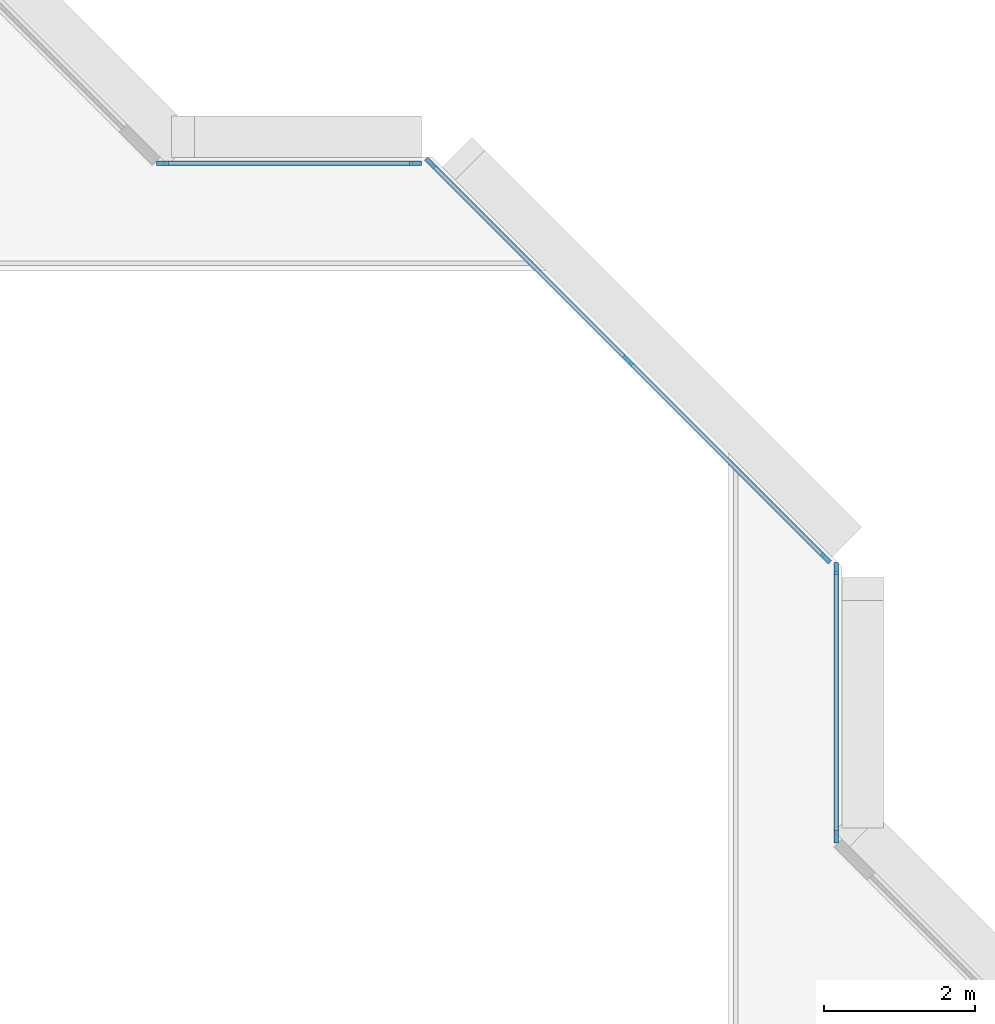
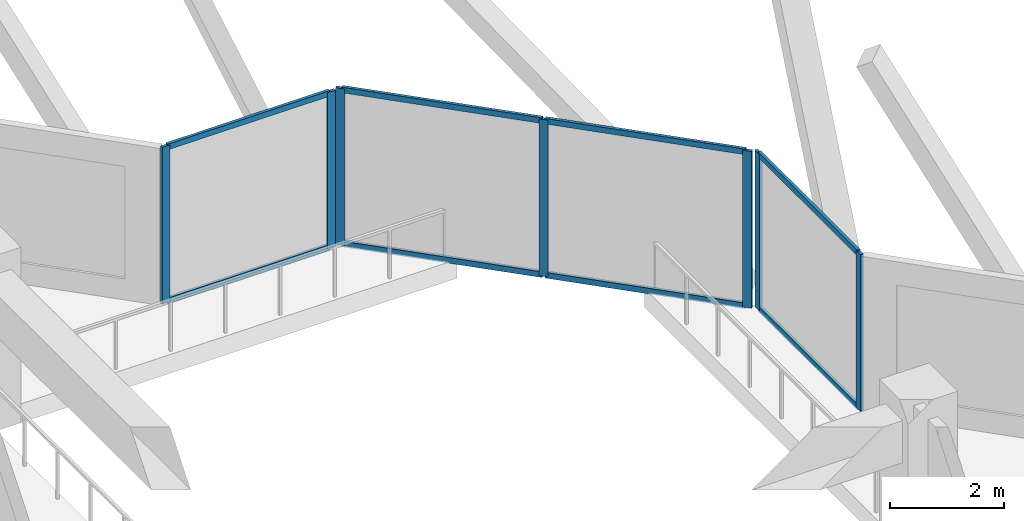
# One storey, part 2 of 16: 15 members, 3 elements without a shape of their own.
"""IFC4 building model written with IfcOpenShell, lengths in metres."""

from ifc_helpers import new_model, si_unit, direction, frame, origin, origin_2d, place, context, subcontext, project, spatial, rectangle, extrude, material, layer, layer_set, material_profile, profile_set, type_object, element, aggregate, save


model = new_model("IFC4")

# Units and contexts
model_context = context("Model", 3, precision=1e-05, world=origin(), true_north=direction((0.0, 1.0)))
body_context = subcontext(model_context, "Body", "Model", "MODEL_VIEW")
ifc_project = project(units=[si_unit("LENGTHUNIT", "METRE"), si_unit("AREAUNIT", "SQUARE_METRE"), si_unit("VOLUMEUNIT", "CUBIC_METRE"), si_unit("PLANEANGLEUNIT", "RADIAN"), si_unit("MASSUNIT", "GRAM", prefix="KILO")], contexts=[model_context])

# Site, building, storey
site_placement = place(None, origin())
site = spatial("IfcSite", under=ifc_project, at=site_placement, CompositionType="ELEMENT")
building_placement = place(site_placement, origin())
building = spatial("IfcBuilding", under=site, at=building_placement, Name="Chenar Terraces", CompositionType="ELEMENT")
storey_placement = place(building_placement, frame((0.0, 0.0, 99.39990234375)))
storey = spatial("IfcBuildingStorey", under=building, at=storey_placement, Name="L22", CompositionType="ELEMENT", Elevation=99.39990234375)

# Curtain wall, members
ifc_material_1 = material(Name="Aluminium framed glazing", Category="aluminium")
ifc_layer = layer(ifc_material_1, 0.14990234375)
ifc_layer_set = layer_set([ifc_layer], Name="Aluminium framed glazing")
curtain_wall_type = type_object("IfcCurtainWallType", Name="Atrium curtain wall", PredefinedType="NOTDEFINED", material=ifc_layer_set)
placement = place(storey_placement, origin())
curtain_wall_1 = element("IfcCurtainWall", 1, at=placement, inside=storey, type_object=curtain_wall_type, Name="Atrium curtain wall", PredefinedType="NOTDEFINED")
ifc_material_2 = material(Name="Aluminium", Category="aluminium")
ifc_material_profile_1 = material_profile(ifc_material_2, rectangle(XDim=0.06005859375, YDim=0.159912109375, at=origin_2d()), Name="Atrium glazing mullion 60 x 160")
ifc_profile_set_1 = profile_set([ifc_material_profile_1], Name="Aluminium")
member_type_1 = type_object("IfcMemberType", Name="Atrium glazing mullion 60 x 160", PredefinedType="MULLION", material=ifc_profile_set_1)
member_1_placement = place(storey_placement, frame((37.425048828125, 28.530029296875, 0.0), z_axis=(0.0, 0.0, 1.0), x_axis=(-1.0, 0.0, 0.0)))
member_1 = element("IfcMember", 2, at=member_1_placement, type_object=member_type_1, Name="CW1-1 mullion 1", PredefinedType="MULLION", context=body_context, shape_type="SweptSolid", body=[
    extrude(rectangle(XDim=0.06005859375, YDim=0.159912109375, at=origin_2d()), origin(), (0.0, 0.0, 1.0), 3.35009765625),
])
member_2_placement = place(storey_placement, frame((37.425048828125, 32.070068359375, 0.0), z_axis=(0.0, 0.0, 1.0), x_axis=(-1.0, 0.0, 0.0)))
member_2 = element("IfcMember", 3, at=member_2_placement, type_object=member_type_1, Name="CW1-1 mullion 2", PredefinedType="MULLION", context=body_context, shape_type="SweptSolid", body=[
    extrude(rectangle(XDim=0.06005859375, YDim=0.159912109375, at=origin_2d()), origin(), (0.0, 0.0, 1.0), 3.35009765625),
])

curtain_wall_2 = element("IfcCurtainWall", 4, at=placement, inside=storey, type_object=curtain_wall_type, Name="Atrium curtain wall", PredefinedType="NOTDEFINED")
member_3_placement = place(storey_placement, frame((37.284423828125, 32.209716796875, 0.0), z_axis=(0.0, 0.0, 1.0), x_axis=(-0.707106781187, -0.707106781187, 0.0)))
member_3 = element("IfcMember", 5, at=member_3_placement, type_object=member_type_1, Name="CW1-2 mullion 1", PredefinedType="MULLION", context=body_context, shape_type="SweptSolid", body=[
    extrude(rectangle(XDim=0.06005859375, YDim=0.159912109375, at=origin_2d()), origin(), (0.0, 0.0, 1.0), 3.35009765625),
])
member_4_placement = place(storey_placement, frame((34.67626953125, 34.817626953125, 0.0), z_axis=(0.0, 0.0, 1.0), x_axis=(-0.707106781187, -0.707106781187, 0.0)))
member_4 = element("IfcMember", 6, at=member_4_placement, type_object=member_type_1, Name="CW1-2 mullion 2", PredefinedType="MULLION", context=body_context, shape_type="SweptSolid", body=[
    extrude(rectangle(XDim=0.06005859375, YDim=0.159912109375, at=origin_2d()), origin(), (0.0, 0.0, 1.0), 3.35009765625),
])
member_5_placement = place(storey_placement, frame((32.068115234375, 37.42578125, 0.0), z_axis=(0.0, 0.0, 1.0), x_axis=(-0.707106781187, -0.707106781187, 0.0)))
member_5 = element("IfcMember", 7, at=member_5_placement, type_object=member_type_1, Name="CW1-2 mullion 3", PredefinedType="MULLION", context=body_context, shape_type="SweptSolid", body=[
    extrude(rectangle(XDim=0.06005859375, YDim=0.159912109375, at=origin_2d()), origin(), (0.0, 0.0, 1.0), 3.35009765625),
])

curtain_wall_3 = element("IfcCurtainWall", 8, at=placement, inside=storey, type_object=curtain_wall_type, Name="Atrium curtain wall", PredefinedType="NOTDEFINED")
member_6_placement = place(storey_placement, frame((31.8701171875, 37.425048828125, 0.0), z_axis=(0.0, 0.0, 1.0), x_axis=(0.0, -1.0, 0.0)))
member_6 = element("IfcMember", 9, at=member_6_placement, type_object=member_type_1, Name="CW1-3 mullion 1", PredefinedType="MULLION", context=body_context, shape_type="SweptSolid", body=[
    extrude(rectangle(XDim=0.06005859375, YDim=0.159912109375, at=origin_2d()), origin(), (0.0, 0.0, 1.0), 3.35009765625),
])
member_7_placement = place(storey_placement, frame((28.530029296875, 37.425048828125, 0.0), z_axis=(0.0, 0.0, 1.0), x_axis=(0.0, -1.0, 0.0)))
member_7 = element("IfcMember", 10, at=member_7_placement, type_object=member_type_1, Name="CW1-3 mullion 2", PredefinedType="MULLION", context=body_context, shape_type="SweptSolid", body=[
    extrude(rectangle(XDim=0.06005859375, YDim=0.159912109375, at=origin_2d()), origin(), (0.0, 0.0, 1.0), 3.35009765625),
])

# Member
ifc_material_3 = material(Name="Aluminium", Category="aluminium")
ifc_material_profile_2 = material_profile(ifc_material_3, rectangle(XDim=0.06005859375, YDim=0.1201171875, at=origin_2d()), Name="Atrium glazing transom 60 x 120")
ifc_profile_set_2 = profile_set([ifc_material_profile_2], Name="Aluminium")
member_type_2 = type_object("IfcMemberType", Name="Atrium glazing transom 60 x 120", PredefinedType="USERDEFINED", material=ifc_profile_set_2)
member_8_placement = place(storey_placement, frame((37.425048828125, 28.56005859375, 0.030029296875), z_axis=(0.0, 1.0, 0.0), x_axis=(-1.0, 0.0, 0.0)))
member_8 = element("IfcMember", 11, at=member_8_placement, type_object=member_type_2, Name="CW1-1 transom 1.1", ObjectType="TRANSOM", PredefinedType="USERDEFINED", context=body_context, shape_type="SweptSolid", body=[
    extrude(rectangle(XDim=0.06005859375, YDim=0.1201171875, at=origin_2d()), origin(), (0.0, 0.0, 1.0), 3.47998046875),
])

member_9_placement = place(storey_placement, frame((37.425048828125, 28.56005859375, 3.320068359375), z_axis=(0.0, 1.0, 0.0), x_axis=(-1.0, 0.0, 0.0)))
member_9 = element("IfcMember", 12, at=member_9_placement, type_object=member_type_2, Name="CW1-1 transom 1.2", ObjectType="TRANSOM", PredefinedType="USERDEFINED", context=body_context, shape_type="SweptSolid", body=[
    extrude(rectangle(XDim=0.06005859375, YDim=0.1201171875, at=origin_2d()), origin(), (0.0, 0.0, 1.0), 3.47998046875),
])

aggregate(curtain_wall_1, [member_1, member_2, member_8, member_9])

member_10_placement = place(storey_placement, frame((37.26318359375, 32.230712890625, 0.030029296875), z_axis=(-0.707106781187, 0.707106781187, 0.0), x_axis=(-0.707106781187, -0.707106781187, 0.0)))
member_10 = element("IfcMember", 13, at=member_10_placement, type_object=member_type_2, Name="CW1-2 transom 1.1", ObjectType="TRANSOM", PredefinedType="USERDEFINED", context=body_context, shape_type="SweptSolid", body=[
    extrude(rectangle(XDim=0.06005859375, YDim=0.1201171875, at=origin_2d()), origin(), (0.0, 0.0, 1.0), 3.62841796875),
])

member_11_placement = place(storey_placement, frame((37.26318359375, 32.230712890625, 3.320068359375), z_axis=(-0.707106781187, 0.707106781187, 0.0), x_axis=(-0.707106781187, -0.707106781187, 0.0)))
member_11 = element("IfcMember", 14, at=member_11_placement, type_object=member_type_2, Name="CW1-2 transom 1.2", ObjectType="TRANSOM", PredefinedType="USERDEFINED", context=body_context, shape_type="SweptSolid", body=[
    extrude(rectangle(XDim=0.06005859375, YDim=0.1201171875, at=origin_2d()), origin(), (0.0, 0.0, 1.0), 3.62841796875),
])

member_12_placement = place(storey_placement, frame((34.655029296875, 34.8388671875, 0.030029296875), z_axis=(-0.707106781187, 0.707106781187, 0.0), x_axis=(-0.707106781187, -0.707106781187, 0.0)))
member_12 = element("IfcMember", 15, at=member_12_placement, type_object=member_type_2, Name="CW1-2 transom 2.1", ObjectType="TRANSOM", PredefinedType="USERDEFINED", context=body_context, shape_type="SweptSolid", body=[
    extrude(rectangle(XDim=0.06005859375, YDim=0.1201171875, at=origin_2d()), origin(), (0.0, 0.0, 1.0), 3.62841796875),
])

member_13_placement = place(storey_placement, frame((34.655029296875, 34.8388671875, 3.320068359375), z_axis=(-0.707106781187, 0.707106781187, 0.0), x_axis=(-0.707106781187, -0.707106781187, 0.0)))
member_13 = element("IfcMember", 16, at=member_13_placement, type_object=member_type_2, Name="CW1-2 transom 2.2", ObjectType="TRANSOM", PredefinedType="USERDEFINED", context=body_context, shape_type="SweptSolid", body=[
    extrude(rectangle(XDim=0.06005859375, YDim=0.1201171875, at=origin_2d()), origin(), (0.0, 0.0, 1.0), 3.62841796875),
])

aggregate(curtain_wall_2, [member_3, member_4, member_5, member_10, member_11, member_12, member_13])

member_14_placement = place(storey_placement, frame((31.840087890625, 37.425048828125, 0.030029296875), z_axis=(-1.0, 0.0, 0.0), x_axis=(0.0, -1.0, 0.0)))
member_14 = element("IfcMember", 17, at=member_14_placement, type_object=member_type_2, Name="CW1-3 transom 1.1", ObjectType="TRANSOM", PredefinedType="USERDEFINED", context=body_context, shape_type="SweptSolid", body=[
    extrude(rectangle(XDim=0.06005859375, YDim=0.1201171875, at=origin_2d()), origin(), (0.0, 0.0, 1.0), 3.280029296875),
])

member_15_placement = place(storey_placement, frame((31.840087890625, 37.425048828125, 3.320068359375), z_axis=(-1.0, 0.0, 0.0), x_axis=(0.0, -1.0, 0.0)))
member_15 = element("IfcMember", 18, at=member_15_placement, type_object=member_type_2, Name="CW1-3 transom 1.2", ObjectType="TRANSOM", PredefinedType="USERDEFINED", context=body_context, shape_type="SweptSolid", body=[
    extrude(rectangle(XDim=0.06005859375, YDim=0.1201171875, at=origin_2d()), origin(), (0.0, 0.0, 1.0), 3.280029296875),
])

aggregate(curtain_wall_3, [member_6, member_7, member_14, member_15])

save(model, "model.ifc")
